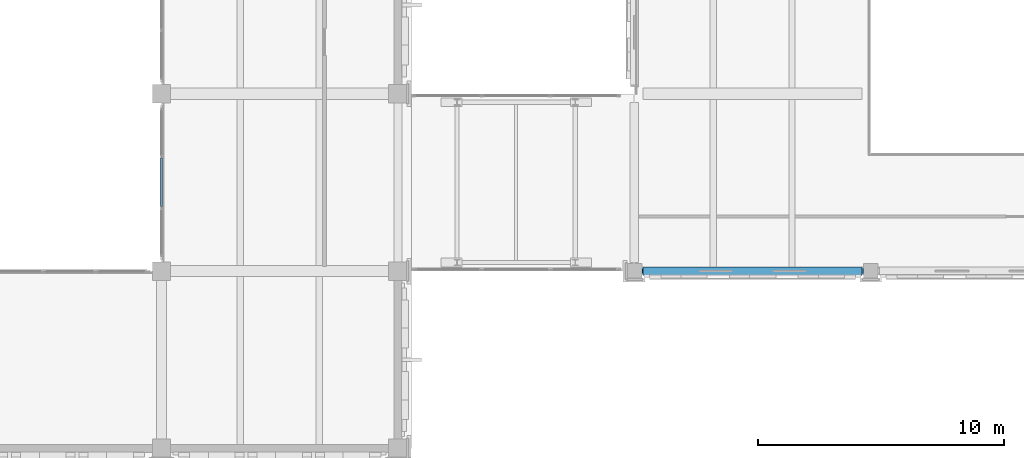
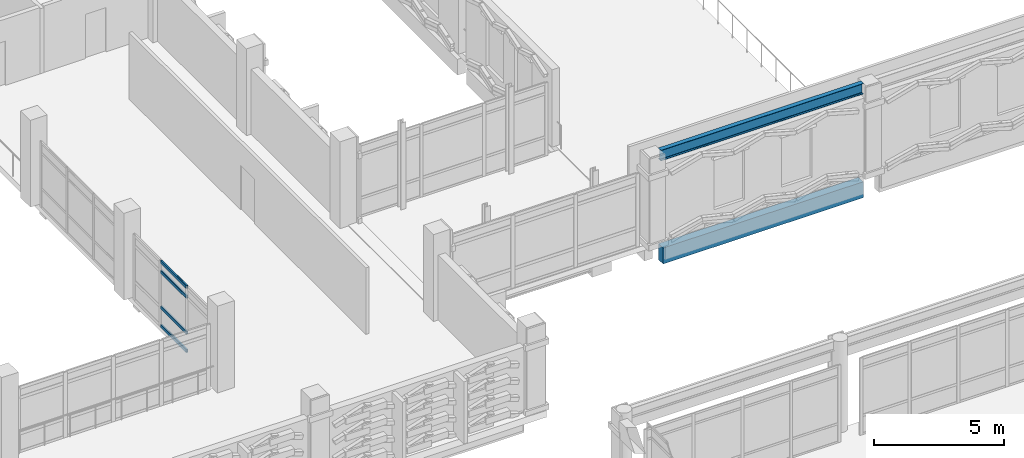
# One storey, part 102 of 180: 4 members, 2 beams, 1 element without a shape of its own.
"""IFC4 building model written with IfcOpenShell, lengths in metres."""

from ifc_helpers import new_model, si_unit, direction, frame, origin, origin_2d, place, context, subcontext, project, spatial, rectangle, hollow_rectangle, i_section, extrude, material, layer, layer_set, material_profile, profile_set, type_object, element, aggregate, save


model = new_model("IFC4")

# Units and contexts
model_context = context("Model", 3, precision=1e-05, world=origin(), true_north=direction((0.0, 1.0)))
body_context = subcontext(model_context, "Body", "Model", "MODEL_VIEW")
ifc_project = project(units=[si_unit("LENGTHUNIT", "METRE"), si_unit("AREAUNIT", "SQUARE_METRE"), si_unit("VOLUMEUNIT", "CUBIC_METRE"), si_unit("PLANEANGLEUNIT", "RADIAN"), si_unit("MASSUNIT", "GRAM", prefix="KILO")], contexts=[model_context])

# Site, building, storey
site_placement = place(None, origin())
site = spatial("IfcSite", under=ifc_project, at=site_placement, CompositionType="ELEMENT")
building_placement = place(site_placement, origin())
building = spatial("IfcBuilding", under=site, at=building_placement, Name="Asteropetra Specialist Clinic", CompositionType="ELEMENT")
storey_placement = place(building_placement, frame((0.0, 0.0, 4.419921875)))
storey = spatial("IfcBuildingStorey", under=building, at=storey_placement, Name="L01", CompositionType="ELEMENT", Elevation=4.419921875)

# Beam
ifc_material_1 = material(Name="Steel S355", Category="steel")
ifc_material_profile_1 = material_profile(ifc_material_1, i_section(OverallWidth=0.199951171875, OverallDepth=0.5, WebThickness=0.01025390625, FlangeThickness=0.01611328125, FilletRadius=0.02099609375, at=origin_2d()), Name="IPE 500")
ifc_profile_set_1 = profile_set([ifc_material_profile_1], Name="Steel S355")
beam_type_1 = type_object("IfcBeamType", Name="BM-STL-IPE500", PredefinedType="BEAM", material=ifc_profile_set_1)
beam_1_placement = place(storey_placement, frame((86.699951171875, 76.800048828125, 4.030029296875), z_axis=(1.0, 0.0, 0.0), x_axis=(0.0, 1.0, 0.0)))
element("IfcBeam", 1, at=beam_1_placement, inside=storey, type_object=beam_type_1, Name="Hall Eave Girder EG-86-76", PredefinedType="BEAM", context=body_context, shape_type="SweptSolid", body=[
    extrude(i_section(OverallWidth=0.199951171875, OverallDepth=0.5, WebThickness=0.01025390625, FlangeThickness=0.01611328125, FilletRadius=0.02099609375, at=origin_2d()), origin(), (0.0, 0.0, 1.0), 9.0),
])

# Curtain wall, members
ifc_material_2 = material(Name="Aluminium and low-E glass", Category="aluminium")
ifc_layer = layer(ifc_material_2, 0.135009765625)
ifc_layer_set = layer_set([ifc_layer], Name="Aluminium and low-E glass")
curtain_wall_type = type_object("IfcCurtainWallType", Name="CW-SYS-06", PredefinedType="USERDEFINED", material=ifc_layer_set)
curtain_wall_placement = place(storey_placement, origin())
curtain_wall = element("IfcCurtainWall", 2, at=curtain_wall_placement, inside=storey, type_object=curtain_wall_type, Name="Curtain Wall CW-030", ObjectType="UNITISED CURTAIN WALL", PredefinedType="USERDEFINED")
ifc_material_3 = material(Name="Aluminium 6063-T6", Category="aluminium")
ifc_material_profile_2 = material_profile(ifc_material_3, hollow_rectangle(XDim=0.074951171875, YDim=0.14990234375, WallThickness=0.00390625, InnerFilletRadius=0.00390625, OuterFilletRadius=0.008056640625, at=origin_2d()), Name="TRN 150x75x4.0")
ifc_profile_set_2 = profile_set([ifc_material_profile_2], Name="Aluminium 6063-T6")
member_type = type_object("IfcMemberType", Name="CWT-150x75", PredefinedType="USERDEFINED", material=ifc_profile_set_2)
member_1_placement = place(storey_placement, frame((67.199951171875, 79.415771484375, 0.03759765625), z_axis=(0.0, 1.0, 0.0), x_axis=(-1.0, 0.0, 0.0)))
member_1 = element("IfcMember", 3, at=member_1_placement, type_object=member_type, Name="CW-030 transom 2.1", ObjectType="TRANSOM", PredefinedType="USERDEFINED", context=body_context, shape_type="SweptSolid", body=[
    extrude(hollow_rectangle(XDim=0.074951171875, YDim=0.14990234375, WallThickness=0.00390625, InnerFilletRadius=0.00390625, OuterFilletRadius=0.008056640625, at=origin_2d()), origin(), (0.0, 0.0, 1.0), 1.968505859375),
])
member_2_placement = place(storey_placement, frame((67.199951171875, 79.415771484375, 0.900146484375), z_axis=(0.0, 1.0, 0.0), x_axis=(-1.0, 0.0, 0.0)))
member_2 = element("IfcMember", 4, at=member_2_placement, type_object=member_type, Name="CW-030 transom 2.2", ObjectType="TRANSOM", PredefinedType="USERDEFINED", context=body_context, shape_type="SweptSolid", body=[
    extrude(hollow_rectangle(XDim=0.074951171875, YDim=0.14990234375, WallThickness=0.00390625, InnerFilletRadius=0.00390625, OuterFilletRadius=0.008056640625, at=origin_2d()), origin(), (0.0, 0.0, 1.0), 1.968505859375),
])
member_3_placement = place(storey_placement, frame((67.199951171875, 79.415771484375, 2.580078125), z_axis=(0.0, 1.0, 0.0), x_axis=(-1.0, 0.0, 0.0)))
member_3 = element("IfcMember", 5, at=member_3_placement, type_object=member_type, Name="CW-030 transom 2.3", ObjectType="TRANSOM", PredefinedType="USERDEFINED", context=body_context, shape_type="SweptSolid", body=[
    extrude(hollow_rectangle(XDim=0.074951171875, YDim=0.14990234375, WallThickness=0.00390625, InnerFilletRadius=0.00390625, OuterFilletRadius=0.008056640625, at=origin_2d()), origin(), (0.0, 0.0, 1.0), 1.968505859375),
])
member_4_placement = place(storey_placement, frame((67.199951171875, 79.415771484375, 3.04248046875), z_axis=(0.0, 1.0, 0.0), x_axis=(-1.0, 0.0, 0.0)))
member_4 = element("IfcMember", 6, at=member_4_placement, type_object=member_type, Name="CW-030 transom 2.4", ObjectType="TRANSOM", PredefinedType="USERDEFINED", context=body_context, shape_type="SweptSolid", body=[
    extrude(hollow_rectangle(XDim=0.074951171875, YDim=0.14990234375, WallThickness=0.00390625, InnerFilletRadius=0.00390625, OuterFilletRadius=0.008056640625, at=origin_2d()), origin(), (0.0, 0.0, 1.0), 1.968505859375),
])
aggregate(curtain_wall, [member_1, member_2, member_3, member_4])

# Beam
ifc_material_4 = material(Name="Concrete C35/45", Category="concrete")
ifc_material_profile_3 = material_profile(ifc_material_4, rectangle(XDim=0.35009765625, YDim=0.75, at=origin_2d()), Name="RCS 350x750")
ifc_profile_set_3 = profile_set([ifc_material_profile_3], Name="Concrete C35/45")
beam_type_2 = type_object("IfcBeamType", Name="SPN-RC350x750", PredefinedType="SPANDREL", material=ifc_profile_set_3)
beam_2_placement = place(storey_placement, frame((86.75, 76.800048828125, -0.655029296875), z_axis=(1.0, 0.0, 0.0), x_axis=(0.0, 1.0, 0.0)))
element("IfcBeam", 7, at=beam_2_placement, inside=storey, type_object=beam_type_2, Name="Beam BSPN01-0565", PredefinedType="SPANDREL", context=body_context, shape_type="SweptSolid", body=[
    extrude(rectangle(XDim=0.35009765625, YDim=0.75, at=origin_2d()), origin(), (0.0, 0.0, 1.0), 8.89990234375),
])

save(model, "model.ifc")
